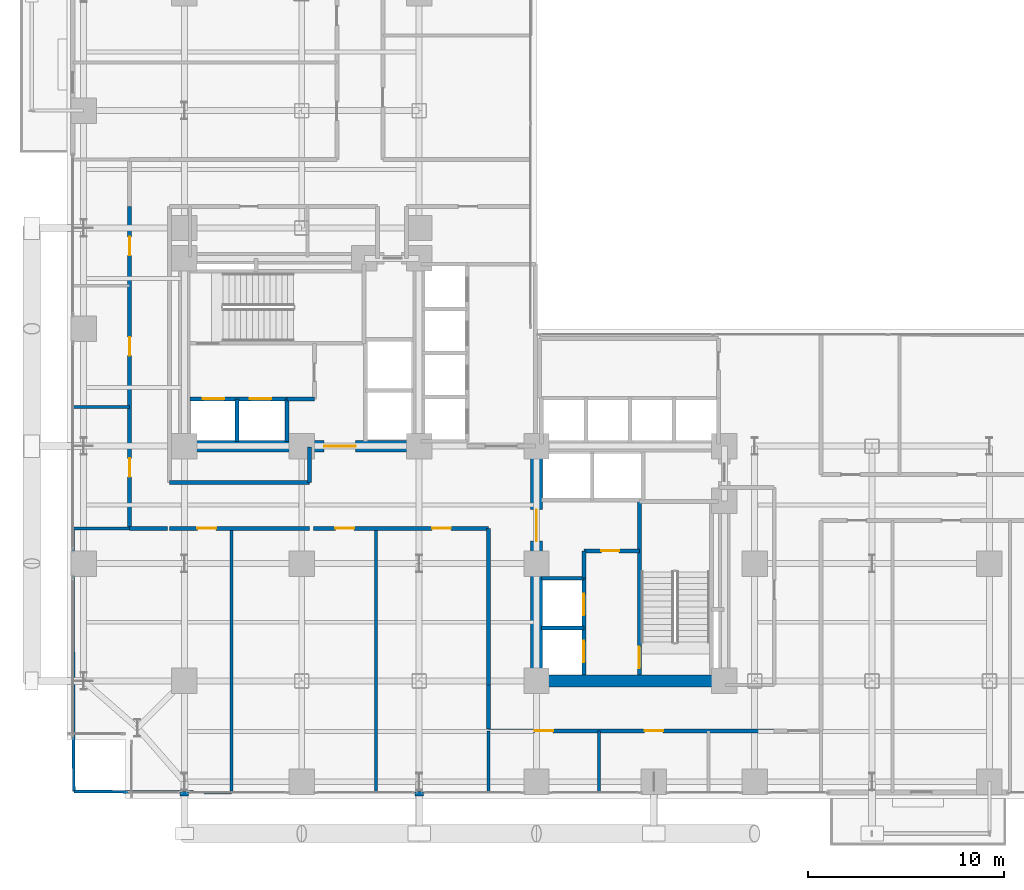
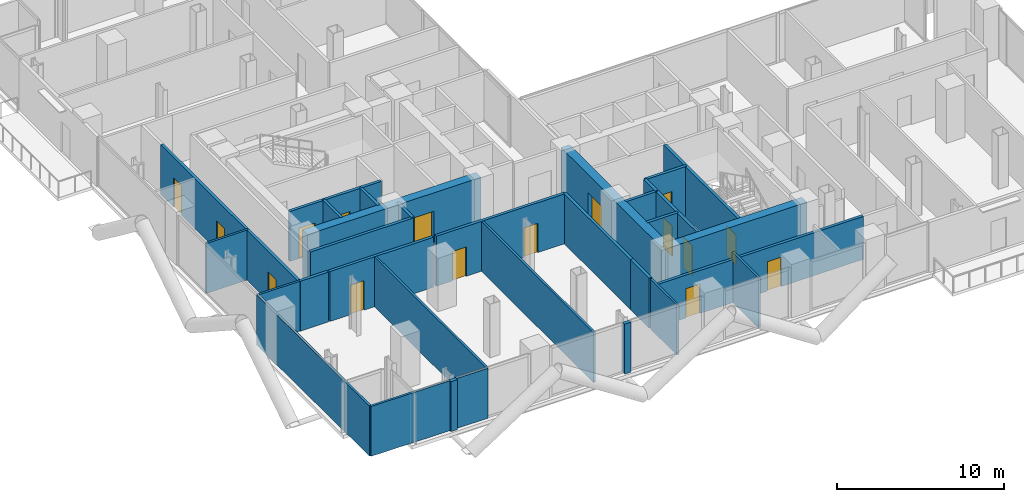
# One storey, part 21 of 27: 33 walls, 16 doors, 16 openings.
"""IFC4 building model written with IfcOpenShell, lengths in metres."""

from ifc_helpers import new_model, si_unit, direction, frame, frame_2d, origin, place, context, subcontext, project, spatial, rectangle, extrude, material, layer, layer_set, type_object, element, fill, save


model = new_model("IFC4")

# Units and contexts
model_context = context("Model", 3, precision=1e-05, world=origin(), true_north=direction((0.0, 1.0)))
body_context = subcontext(model_context, "Body", "Model", "MODEL_VIEW")
ifc_project = project(units=[si_unit("LENGTHUNIT", "METRE"), si_unit("AREAUNIT", "SQUARE_METRE"), si_unit("VOLUMEUNIT", "CUBIC_METRE"), si_unit("PLANEANGLEUNIT", "RADIAN"), si_unit("MASSUNIT", "GRAM", prefix="KILO"), si_unit("THERMODYNAMICTEMPERATUREUNIT", "KELVIN"), si_unit("POWERUNIT", "WATT")], contexts=[model_context])

# Site, building, storey
site_placement = place(None, origin())
site = spatial("IfcSite", under=ifc_project, at=site_placement, CompositionType="ELEMENT")
building_placement = place(site_placement, origin())
building = spatial("IfcBuilding", under=site, at=building_placement, Name="Svarakhadi Broadcast Tower", CompositionType="ELEMENT")
storey_placement = place(building_placement, frame((0.0, 0.0, 55.800048828125)))
storey = spatial("IfcBuildingStorey", under=building, at=storey_placement, Name="L12", CompositionType="ELEMENT", Elevation=55.800048828125)

# Walls
ifc_material_1 = material(Name="Concrete C40/50 (IS 456 M50)", Category="concrete")
ifc_layer_1 = layer(ifc_material_1, 0.239990234375)
ifc_layer_set_1 = layer_set([ifc_layer_1], Name="Concrete C40/50 (IS 456 M50)")
wall_type_1 = type_object("IfcWallType", Name="Wall_Ext_240", PredefinedType="SOLIDWALL", material=ifc_layer_set_1)
for number, where, z_axis, x_axis, name in (
    (1, (18.215087890625, 0.239990234375, 0.0), (0.0, 0.0, 1.0), (-1.0, 0.0, 0.0), "L12 Perimeter Bronze Spandrel Closure Wall 05"),
    (2, (6.215087890625, 0.239990234375, 0.0), (0.0, 0.0, 1.0), (-1.0, 0.0, 0.0), "L12 Perimeter Bronze Spandrel Closure Wall 06"),
):
    element("IfcWall", number, at=place(storey_placement, frame(where, z_axis=z_axis, x_axis=x_axis)), inside=storey, type_object=wall_type_1, Name=name, PredefinedType="SOLIDWALL", context=body_context, shape_type="SweptSolid", body=[
        extrude(rectangle(XDim=0.43017578125, YDim=0.239990234375, at=frame_2d((0.215087890625, 0.0))), origin(), (0.0, 0.0, 1.0), 3.64990234375),
    ])

# Wall, openings, doors
ifc_layer_2 = layer(ifc_material_1, 0.199951171875)
ifc_layer_set_2 = layer_set([ifc_layer_2], Name="Concrete C40/50 (IS 456 M50)")
wall_type_2 = type_object("IfcWallType", Name="Wall_Fire_200", PredefinedType="SOLIDWALL", material=ifc_layer_set_2)
wall_1_placement = place(storey_placement, frame((36.14990234375, 3.449951171875, 0.0), z_axis=(0.0, 0.0, 1.0), x_axis=(-1.0, 0.0, 0.0)))
wall_1 = element("IfcWall", 3, at=wall_1_placement, inside=storey, type_object=wall_type_2, Name="L12 Broadcast Corridor Wall", PredefinedType="SOLIDWALL", context=body_context, shape_type="SweptSolid", body=[
    extrude(rectangle(XDim=14.599853515625, YDim=0.199951171875, at=frame_2d((7.2998046875, 0.0))), origin(), (0.0, 0.0, 1.0), 3.141845703125),
])
opening_1_placement = place(wall_1_placement, frame((11.300048828125, 0.0, 0.0)))
opening_1 = element("IfcOpeningElement", 4, at=opening_1_placement, cuts=wall_1, Name="Opening D-07", PredefinedType="OPENING", context=body_context, shape_type="SweptSolid", body=[
    extrude(rectangle(XDim=0.949951171875, YDim=2.14990234375, at=frame_2d((0.47509765625, 1.074951171875))), frame((0.0, 0.10986328125, 0.0), z_axis=(0.0, -1.0, 0.0), x_axis=(1.0, 0.0, 0.0)), (0.0, 0.0, 1.0), 0.219970703125),
])
opening_2_placement = place(wall_1_placement, frame((5.675048828125, 0.0, 0.0)))
opening_2 = element("IfcOpeningElement", 5, at=opening_2_placement, cuts=wall_1, Name="Opening D-06", PredefinedType="OPENING", context=body_context, shape_type="SweptSolid", body=[
    extrude(rectangle(XDim=0.949951171875, YDim=2.14990234375, at=frame_2d((0.47509765625, 1.074951171875))), frame((0.0, 0.10986328125, 0.0), z_axis=(0.0, -1.0, 0.0), x_axis=(1.0, 0.0, 0.0)), (0.0, 0.0, 1.0), 0.219970703125),
])
ifc_material_2 = material(Name="Solid-Core Teak Veneer Acoustic Timber Leaf", Category="wood")
door_type_1 = type_object("IfcDoorType", Name="Door_Office_D06", OperationType="SINGLE_SWING_LEFT", PredefinedType="DOOR", material=ifc_material_2)
door_1_placement = place(opening_2_placement, origin())
door_1 = element("IfcDoor", 6, at=door_1_placement, inside=storey, type_object=door_type_1, Name="L12 Media Legal Review Office Door", OperationType="SINGLE_SWING_LEFT", OverallHeight=2.14990234375, OverallWidth=0.949951171875, PredefinedType="DOOR", context=body_context, shape_type="SweptSolid", body=[
    extrude(rectangle(XDim=0.949951171875, YDim=2.14990234375, at=frame_2d((0.47509765625, 1.074951171875))), frame((0.0, 0.02490234375, 0.0), z_axis=(0.0, -1.0, 0.0), x_axis=(1.0, 0.0, 0.0)), (0.0, 0.0, 1.0), 0.050048828125),
])
fill(opening_2, door_1)
door_type_2 = type_object("IfcDoorType", Name="Door_Office_D07", OperationType="SINGLE_SWING_RIGHT", PredefinedType="DOOR", material=ifc_material_2)
door_2_placement = place(opening_1_placement, origin())
door_2 = element("IfcDoor", 7, at=door_2_placement, inside=storey, type_object=door_type_2, Name="L12 South Harbour Editorial Desk Door", OperationType="SINGLE_SWING_RIGHT", OverallHeight=2.14990234375, OverallWidth=0.949951171875, PredefinedType="DOOR", context=body_context, shape_type="SweptSolid", body=[
    extrude(rectangle(XDim=0.949951171875, YDim=2.14990234375, at=frame_2d((0.47509765625, 1.074951171875))), frame((0.0, 0.02490234375, 0.0), z_axis=(0.0, -1.0, 0.0), x_axis=(1.0, 0.0, 0.0)), (0.0, 0.0, 1.0), 0.050048828125),
])
fill(opening_1, door_2)

# Walls
wall_2_placement = place(storey_placement, frame((21.550048828125, 3.550048828125, 0.0), z_axis=(0.0, 0.0, 1.0), x_axis=(0.0, 1.0, 0.0)))
element("IfcWall", 8, at=wall_2_placement, inside=storey, type_object=wall_type_2, Name="L12 Broadcast Corridor Wall", PredefinedType="SOLIDWALL", context=body_context, shape_type="SweptSolid", body=[
    extrude(rectangle(XDim=2.25, YDim=0.199951171875, at=frame_2d((1.125, 0.0))), origin(), (0.0, 0.0, 1.0), 3.64990234375),
])
wall_3_placement = place(storey_placement, frame((21.550048828125, 5.800048828125, 0.0), z_axis=(0.0, 0.0, 1.0), x_axis=(0.0, 1.0, 0.0)))
element("IfcWall", 9, at=wall_3_placement, inside=storey, type_object=wall_type_2, Name="L12 Broadcast Corridor Wall", PredefinedType="SOLIDWALL", context=body_context, shape_type="SweptSolid", body=[
    extrude(rectangle(XDim=8.0, YDim=0.199951171875, at=frame_2d((4.0, 0.0))), origin(), (0.0, 0.0, 1.0), 3.64990234375),
])

# Wall, openings, doors
wall_4_placement = place(storey_placement, frame((21.550048828125, 13.800048828125, 0.0), z_axis=(0.0, 0.0, 1.0), x_axis=(-1.0, 0.0, 0.0)))
wall_4 = element("IfcWall", 10, at=wall_4_placement, inside=storey, type_object=wall_type_2, Name="L12 Broadcast Corridor Wall", PredefinedType="SOLIDWALL", context=body_context, shape_type="SweptSolid", body=[
    extrude(rectangle(XDim=8.949951171875, YDim=0.199951171875, at=frame_2d((4.47509765625, 0.0))), origin(), (0.0, 0.0, 1.0), 3.64990234375),
])
opening_3_placement = place(wall_4_placement, frame((6.875, 0.0, 0.0)))
opening_3 = element("IfcOpeningElement", 11, at=opening_3_placement, cuts=wall_4, Name="Opening D-07", PredefinedType="OPENING", context=body_context, shape_type="SweptSolid", body=[
    extrude(rectangle(XDim=0.949951171875, YDim=2.14990234375, at=frame_2d((0.47509765625, 1.074951171875))), frame((0.0, 0.10986328125, 0.0), z_axis=(0.0, -1.0, 0.0), x_axis=(1.0, 0.0, 0.0)), (0.0, 0.0, 1.0), 0.219970703125),
])
opening_4_placement = place(wall_4_placement, frame((1.929931640625, 0.0, 0.0)))
opening_4 = element("IfcOpeningElement", 12, at=opening_4_placement, cuts=wall_4, Name="Opening D-06", PredefinedType="OPENING", context=body_context, shape_type="SweptSolid", body=[
    extrude(rectangle(XDim=0.949951171875, YDim=2.14990234375, at=frame_2d((0.47509765625, 1.074951171875))), frame((0.0, 0.10986328125, 0.0), z_axis=(0.0, -1.0, 0.0), x_axis=(1.0, 0.0, 0.0)), (0.0, 0.0, 1.0), 0.219970703125),
])
door_3_placement = place(opening_4_placement, origin())
door_3 = element("IfcDoor", 13, at=door_3_placement, inside=storey, type_object=door_type_1, Name="L12 Faculty Coordinator Office Door", OperationType="SINGLE_SWING_LEFT", OverallHeight=2.14990234375, OverallWidth=0.949951171875, PredefinedType="DOOR", context=body_context, shape_type="SweptSolid", body=[
    extrude(rectangle(XDim=0.949951171875, YDim=2.14990234375, at=frame_2d((0.47509765625, 1.074951171875))), frame((0.0, 0.02490234375, 0.0), z_axis=(0.0, -1.0, 0.0), x_axis=(1.0, 0.0, 0.0)), (0.0, 0.0, 1.0), 0.050048828125),
])
fill(opening_4, door_3)
door_4_placement = place(opening_3_placement, origin())
door_4 = element("IfcDoor", 14, at=door_4_placement, inside=storey, type_object=door_type_2, Name="L12 Curriculum Development Office Door", OperationType="SINGLE_SWING_RIGHT", OverallHeight=2.14990234375, OverallWidth=0.949951171875, PredefinedType="DOOR", context=body_context, shape_type="SweptSolid", body=[
    extrude(rectangle(XDim=0.949951171875, YDim=2.14990234375, at=frame_2d((0.47509765625, 1.074951171875))), frame((0.0, 0.02490234375, 0.0), z_axis=(0.0, -1.0, 0.0), x_axis=(1.0, 0.0, 0.0)), (0.0, 0.0, 1.0), 0.050048828125),
])
fill(opening_3, door_4)

# Wall, opening, door
wall_5_placement = place(storey_placement, frame((12.39990234375, 13.800048828125, 0.0), z_axis=(0.0, 0.0, 1.0), x_axis=(-1.0, 0.0, 0.0)))
wall_5 = element("IfcWall", 15, at=wall_5_placement, inside=storey, type_object=wall_type_2, Name="L12 Broadcast Corridor Wall", PredefinedType="SOLIDWALL", context=body_context, shape_type="SweptSolid", body=[
    extrude(rectangle(XDim=7.14990234375, YDim=0.199951171875, at=frame_2d((3.574951171875, 0.0))), origin(), (0.0, 0.0, 1.0), 3.64990234375),
])
opening_5_placement = place(wall_5_placement, frame((4.780029296875, 0.0, 0.0)))
opening_5 = element("IfcOpeningElement", 16, at=opening_5_placement, cuts=wall_5, Name="Opening D-07", PredefinedType="OPENING", context=body_context, shape_type="SweptSolid", body=[
    extrude(rectangle(XDim=0.949951171875, YDim=2.14990234375, at=frame_2d((0.47509765625, 1.074951171875))), frame((0.0, 0.10986328125, 0.0), z_axis=(0.0, -1.0, 0.0), x_axis=(1.0, 0.0, 0.0)), (0.0, 0.0, 1.0), 0.219970703125),
])
door_5_placement = place(opening_5_placement, origin())
door_5 = element("IfcDoor", 17, at=door_5_placement, inside=storey, type_object=door_type_2, Name="L12 Broadcast Academy Seminar Room A Door", OperationType="SINGLE_SWING_RIGHT", OverallHeight=2.14990234375, OverallWidth=0.949951171875, PredefinedType="DOOR", context=body_context, shape_type="SweptSolid", body=[
    extrude(rectangle(XDim=0.949951171875, YDim=2.14990234375, at=frame_2d((0.47509765625, 1.074951171875))), frame((0.0, 0.02490234375, 0.0), z_axis=(0.0, -1.0, 0.0), x_axis=(1.0, 0.0, 0.0)), (0.0, 0.0, 1.0), 0.050048828125),
])
fill(opening_5, door_5)

# Wall
wall_6_placement = place(storey_placement, frame((5.14990234375, 13.800048828125, 0.0), z_axis=(0.0, 0.0, 1.0), x_axis=(-1.0, 0.0, 0.0)))
element("IfcWall", 18, at=wall_6_placement, inside=storey, type_object=wall_type_2, Name="L12 Broadcast Corridor Wall", PredefinedType="SOLIDWALL", context=body_context, shape_type="SweptSolid", body=[
    extrude(rectangle(XDim=1.949951171875, YDim=0.199951171875, at=frame_2d((0.97509765625, 0.0))), origin(), (0.0, 0.0, 1.0), 3.64990234375),
])

# Wall, openings, doors
wall_7_placement = place(storey_placement, frame((3.199951171875, 13.800048828125, 0.0), z_axis=(0.0, 0.0, 1.0), x_axis=(0.0, 1.0, 0.0)))
wall_7 = element("IfcWall", 19, at=wall_7_placement, inside=storey, type_object=wall_type_2, Name="L12 Broadcast Corridor Wall", PredefinedType="SOLIDWALL", context=body_context, shape_type="SweptSolid", body=[
    extrude(rectangle(XDim=16.449951171875, YDim=0.199951171875, at=frame_2d((8.22509765625, 0.0))), origin(), (0.0, 0.0, 1.0), 3.64990234375),
])
opening_6_placement = place(wall_7_placement, frame((2.625, 0.0, 0.0)))
opening_6 = element("IfcOpeningElement", 20, at=opening_6_placement, cuts=wall_7, Name="Opening D-06", PredefinedType="OPENING", context=body_context, shape_type="SweptSolid", body=[
    extrude(rectangle(XDim=0.949951171875, YDim=2.14990234375, at=frame_2d((0.47509765625, 1.074951171875))), frame((0.0, 0.10986328125, 0.0), z_axis=(0.0, -1.0, 0.0), x_axis=(1.0, 0.0, 0.0)), (0.0, 0.0, 1.0), 0.219970703125),
])
opening_7_placement = place(wall_7_placement, frame((8.824951171875, 0.0, 0.0)))
opening_7 = element("IfcOpeningElement", 21, at=opening_7_placement, cuts=wall_7, Name="Opening D-07", PredefinedType="OPENING", context=body_context, shape_type="SweptSolid", body=[
    extrude(rectangle(XDim=0.949951171875, YDim=2.14990234375, at=frame_2d((0.47509765625, 1.074951171875))), frame((0.0, 0.10986328125, 0.0), z_axis=(0.0, -1.0, 0.0), x_axis=(1.0, 0.0, 0.0)), (0.0, 0.0, 1.0), 0.219970703125),
])
opening_8_placement = place(wall_7_placement, frame((13.949951171875, 0.0, 0.0)))
opening_8 = element("IfcOpeningElement", 22, at=opening_8_placement, cuts=wall_7, Name="Opening D-06", PredefinedType="OPENING", context=body_context, shape_type="SweptSolid", body=[
    extrude(rectangle(XDim=0.949951171875, YDim=2.14990234375, at=frame_2d((0.47509765625, 1.074951171875))), frame((0.0, 0.10986328125, 0.0), z_axis=(0.0, -1.0, 0.0), x_axis=(1.0, 0.0, 0.0)), (0.0, 0.0, 1.0), 0.219970703125),
])
door_6_placement = place(opening_6_placement, origin())
door_6 = element("IfcDoor", 23, at=door_6_placement, inside=storey, type_object=door_type_1, Name="L12 Arabian Sea Commentary Booth Door", OperationType="SINGLE_SWING_LEFT", OverallHeight=2.14990234375, OverallWidth=0.949951171875, PredefinedType="DOOR", context=body_context, shape_type="SweptSolid", body=[
    extrude(rectangle(XDim=0.949951171875, YDim=2.14990234375, at=frame_2d((0.47509765625, 1.074951171875))), frame((0.0, 0.02490234375, 0.0), z_axis=(0.0, -1.0, 0.0), x_axis=(1.0, 0.0, 0.0)), (0.0, 0.0, 1.0), 0.050048828125),
])
fill(opening_6, door_6)
door_7_placement = place(opening_8_placement, origin())
door_7 = element("IfcDoor", 24, at=door_7_placement, inside=storey, type_object=door_type_1, Name="L12 Producer Quiet Lounge Door", OperationType="SINGLE_SWING_LEFT", OverallHeight=2.14990234375, OverallWidth=0.949951171875, PredefinedType="DOOR", context=body_context, shape_type="SweptSolid", body=[
    extrude(rectangle(XDim=0.949951171875, YDim=2.14990234375, at=frame_2d((0.47509765625, 1.074951171875))), frame((0.0, 0.02490234375, 0.0), z_axis=(0.0, -1.0, 0.0), x_axis=(1.0, 0.0, 0.0)), (0.0, 0.0, 1.0), 0.050048828125),
])
fill(opening_8, door_7)
door_8_placement = place(opening_7_placement, origin())
door_8 = element("IfcDoor", 25, at=door_8_placement, inside=storey, type_object=door_type_2, Name="L12 Live Translation Studio Door", OperationType="SINGLE_SWING_RIGHT", OverallHeight=2.14990234375, OverallWidth=0.949951171875, PredefinedType="DOOR", context=body_context, shape_type="SweptSolid", body=[
    extrude(rectangle(XDim=0.949951171875, YDim=2.14990234375, at=frame_2d((0.47509765625, 1.074951171875))), frame((0.0, 0.02490234375, 0.0), z_axis=(0.0, -1.0, 0.0), x_axis=(1.0, 0.0, 0.0)), (0.0, 0.0, 1.0), 0.050048828125),
])
fill(opening_7, door_8)

# Walls
wall_8_placement = place(storey_placement, frame((5.25, 16.14990234375, 0.0), z_axis=(0.0, 0.0, 1.0), x_axis=(1.0, 0.0, 0.0)))
element("IfcWall", 26, at=wall_8_placement, inside=storey, type_object=wall_type_2, Name="L12 Broadcast Corridor Wall", PredefinedType="SOLIDWALL", context=body_context, shape_type="SweptSolid", body=[
    extrude(rectangle(XDim=7.14990234375, YDim=0.199951171875, at=frame_2d((3.574951171875, 0.0))), origin(), (0.0, 0.0, 1.0), 3.64990234375),
])
wall_9_placement = place(storey_placement, frame((12.39990234375, 16.14990234375, 0.0), z_axis=(0.0, 0.0, 1.0), x_axis=(0.0, 1.0, 0.0)))
element("IfcWall", 27, at=wall_9_placement, inside=storey, type_object=wall_type_2, Name="L12 Broadcast Corridor Wall", PredefinedType="SOLIDWALL", context=body_context, shape_type="SweptSolid", body=[
    extrude(rectangle(XDim=1.800048828125, YDim=0.199951171875, at=frame_2d((0.89990234375, 0.0))), origin(), (0.0, 0.0, 1.0), 3.64990234375),
])
ifc_material_3 = material(Name="Autoclaved Aerated Concrete Blockwork 150 mm", Category="masonry")
ifc_layer_3 = layer(ifc_material_3, 0.14990234375)
ifc_layer_set_3 = layer_set([ifc_layer_3], Name="Autoclaved Aerated Concrete Blockwork 150 mm")
wall_type_3 = type_object("IfcWallType", Name="Wall_Part_150", PredefinedType="PARTITIONING", material=ifc_layer_set_3)
wall_10_placement = place(storey_placement, frame((0.35009765625, 0.35009765625, 0.0), z_axis=(0.0, 0.0, 1.0), x_axis=(0.999980506152, -0.006243982317, 0.0)))
element("IfcWall", 28, at=wall_10_placement, inside=storey, type_object=wall_type_3, Name="L12 Broadcast Academy Seminar Room A Wall", PredefinedType="PARTITIONING", context=body_context, shape_type="SweptSolid", body=[
    extrude(rectangle(XDim=5.434814453125, YDim=0.14990234375, at=frame_2d((2.71728515625, 0.0))), origin(), (0.0, 0.0, 1.0), 3.64990234375),
])
wall_11_placement = place(storey_placement, frame((6.215087890625, 0.313720703125, 0.0), z_axis=(0.0, 0.0, 1.0), x_axis=(0.99998042128, -0.006257559905, 0.0)))
element("IfcWall", 29, at=wall_11_placement, inside=storey, type_object=wall_type_3, Name="L12 Broadcast Academy Seminar Room A Wall", PredefinedType="PARTITIONING", context=body_context, shape_type="SweptSolid", body=[
    extrude(rectangle(XDim=2.184814453125, YDim=0.14990234375, at=frame_2d((1.09228515625, 0.0))), origin(), (0.0, 0.0, 1.0), 3.64990234375),
])
wall_12_placement = place(storey_placement, frame((0.35009765625, 0.35009765625, 0.0), z_axis=(0.0, 0.0, 1.0), x_axis=(-0.003721090209, 0.99999307672, 0.0)))
element("IfcWall", 30, at=wall_12_placement, inside=storey, type_object=wall_type_3, Name="L12 Broadcast Academy Seminar Room A Wall", PredefinedType="PARTITIONING", context=body_context, shape_type="SweptSolid", body=[
    extrude(rectangle(XDim=13.449951171875, YDim=0.14990234375, at=frame_2d((6.72509765625, 0.0))), origin(), (0.0, 0.0, 1.0), 3.64990234375),
])
for number, where, z_axis, x_axis, name in (
    (31, (8.39990234375, 0.300048828125, 0.0), (0.0, 0.0, 1.0), (0.0, 1.0, 0.0), "L12 Broadcast Academy Seminar Room A Wall"),
    (32, (15.800048828125, 0.300048828125, 0.0), (0.0, 0.0, 1.0), (0.0, 1.0, 0.0), "L12 Curriculum Development Office Wall"),
):
    element("IfcWall", number, at=place(storey_placement, frame(where, z_axis=z_axis, x_axis=x_axis)), inside=storey, type_object=wall_type_3, Name=name, PredefinedType="PARTITIONING", context=body_context, shape_type="SweptSolid", body=[
        extrude(rectangle(XDim=13.5, YDim=0.14990234375, at=frame_2d((6.75, 0.0))), origin(), (0.0, 0.0, 1.0), 3.64990234375),
    ])
for number, where, z_axis, x_axis, name in (
    (33, (0.300048828125, 13.800048828125, 0.0), (0.0, 0.0, 1.0), (1.0, 0.0, 0.0), "L12 Arabian Sea Commentary Booth Wall"),
    (34, (0.300048828125, 20.0, 0.0), (0.0, 0.0, 1.0), (1.0, 0.0, 0.0), "L12 Arabian Sea Commentary Booth Wall"),
):
    element("IfcWall", number, at=place(storey_placement, frame(where, z_axis=z_axis, x_axis=x_axis)), inside=storey, type_object=wall_type_3, Name=name, PredefinedType="PARTITIONING", context=body_context, shape_type="SweptSolid", body=[
        extrude(rectangle(XDim=2.89990234375, YDim=0.14990234375, at=frame_2d((1.449951171875, 0.0))), origin(), (0.0, 0.0, 1.0), 3.64990234375),
    ])
for number, where, z_axis, x_axis, name in (
    (35, (21.550048828125, 0.300048828125, 0.0), (0.0, 0.0, 1.0), (0.0, 1.0, 0.0), "L12 South Harbour Editorial Desk Wall"),
    (36, (27.199951171875, 0.300048828125, 0.0), (0.0, 0.0, 1.0), (0.0, 1.0, 0.0), "L12 South Harbour Editorial Desk Wall"),
):
    element("IfcWall", number, at=place(storey_placement, frame(where, z_axis=z_axis, x_axis=x_axis)), inside=storey, type_object=wall_type_3, Name=name, PredefinedType="PARTITIONING", context=body_context, shape_type="SweptSolid", body=[
        extrude(rectangle(XDim=3.14990234375, YDim=0.14990234375, at=frame_2d((1.574951171875, 0.0))), origin(), (0.0, 0.0, 1.0), 3.64990234375),
    ])

# Wall, opening, door
ifc_material_4 = material(Name="Concrete C50/60 (IS 456 M60)", Category="concrete")
ifc_layer_4 = layer(ifc_material_4, 0.199951171875)
ifc_layer_set_4 = layer_set([ifc_layer_4], Name="Concrete C50/60 (IS 456 M60)")
wall_type_4 = type_object("IfcWallType", Name="Wall_Shear_200", PredefinedType="SHEAR", material=ifc_layer_set_4)
wall_13_placement = place(storey_placement, frame((29.260009765625, 6.300048828125, 0.0), z_axis=(0.0, 0.0, 1.0), x_axis=(0.0, 1.0, 0.0)))
wall_13 = element("IfcWall", 37, at=wall_13_placement, inside=storey, type_object=wall_type_4, Name="L12 Stair ST-02 West RC Shaft Wall", PredefinedType="SHEAR", context=body_context, shape_type="SweptSolid", body=[
    extrude(rectangle(XDim=8.8798828125, YDim=0.199951171875, at=frame_2d((4.43994140625, 0.0))), origin(), (0.0, 0.0, 1.0), 3.64990234375),
])
opening_9_placement = place(wall_13_placement, frame((0.35009765625, 0.0, 0.0)))
opening_9 = element("IfcOpeningElement", 38, at=opening_9_placement, cuts=wall_13, Name="Opening D-02", PredefinedType="OPENING", context=body_context, shape_type="SweptSolid", body=[
    extrude(rectangle(XDim=1.10009765625, YDim=2.199951171875, at=frame_2d((0.550048828125, 1.10009765625))), frame((0.0, 0.10986328125, 0.0), z_axis=(0.0, -1.0, 0.0), x_axis=(1.0, 0.0, 0.0)), (0.0, 0.0, 1.0), 0.219970703125),
])
ifc_material_5 = material(Name="Galvanised Powder-Coated Fire-Rated Steel Leaf", Category="steel")
door_type_3 = type_object("IfcDoorType", Name="Door_Stair_D02", OperationType="SINGLE_SWING_RIGHT", PredefinedType="DOOR", material=ifc_material_5)
door_9_placement = place(opening_9_placement, origin())
door_9 = element("IfcDoor", 39, at=door_9_placement, inside=storey, type_object=door_type_3, Name="L12 Protected Exit Stair ST-02 Fire Door", OperationType="SINGLE_SWING_RIGHT", OverallHeight=2.199951171875, OverallWidth=1.10009765625, PredefinedType="DOOR", context=body_context, shape_type="SweptSolid", body=[
    extrude(rectangle(XDim=1.10009765625, YDim=2.199951171875, at=frame_2d((0.550048828125, 1.10009765625))), frame((0.0, 0.02490234375, 0.0), z_axis=(0.0, -1.0, 0.0), x_axis=(1.0, 0.0, 0.0)), (0.0, 0.0, 1.0), 0.050048828125),
])
fill(opening_9, door_9)

# Wall, openings, doors
wall_14_placement = place(storey_placement, frame((6.300048828125, 20.419921875, 0.0), z_axis=(0.0, 0.0, 1.0), x_axis=(1.0, 0.0, 0.0)))
wall_14 = element("IfcWall", 40, at=wall_14_placement, inside=storey, type_object=wall_type_4, Name="L12 Firefighting Lift LF-01/02 Shaft Wall", PredefinedType="SHEAR", context=body_context, shape_type="SweptSolid", body=[
    extrude(rectangle(XDim=4.949951171875, YDim=0.199951171875, at=frame_2d((2.47509765625, 0.0))), origin(), (0.0, 0.0, 1.0), 3.64990234375),
])
opening_10_placement = place(wall_14_placement, frame((0.64990234375, 0.0, 0.0)))
opening_10 = element("IfcOpeningElement", 41, at=opening_10_placement, cuts=wall_14, Name="Opening LD-01", PredefinedType="OPENING", context=body_context, shape_type="SweptSolid", body=[
    extrude(rectangle(XDim=1.10009765625, YDim=2.199951171875, at=frame_2d((0.550048828125, 1.10009765625))), frame((0.0, 0.10986328125, 0.0), z_axis=(0.0, -1.0, 0.0), x_axis=(1.0, 0.0, 0.0)), (0.0, 0.0, 1.0), 0.219970703125),
])
opening_11_placement = place(wall_14_placement, frame((3.050048828125, 0.0, 0.0)))
opening_11 = element("IfcOpeningElement", 42, at=opening_11_placement, cuts=wall_14, Name="Opening LD-01", PredefinedType="OPENING", context=body_context, shape_type="SweptSolid", body=[
    extrude(rectangle(XDim=1.10009765625, YDim=2.199951171875, at=frame_2d((0.550048828125, 1.10009765625))), frame((0.0, 0.10986328125, 0.0), z_axis=(0.0, -1.0, 0.0), x_axis=(1.0, 0.0, 0.0)), (0.0, 0.0, 1.0), 0.219970703125),
])
door_type_4 = type_object("IfcDoorType", Name="Door_Lift_LD01", OperationType="SLIDING_TO_LEFT", PredefinedType="DOOR", material=ifc_material_5)
door_10_placement = place(opening_10_placement, origin())
door_10 = element("IfcDoor", 43, at=door_10_placement, inside=storey, type_object=door_type_4, Name="L12 Firefighting Lift LF-01 Landing Door", OperationType="SLIDING_TO_LEFT", OverallHeight=2.199951171875, OverallWidth=1.10009765625, PredefinedType="DOOR", context=body_context, shape_type="SweptSolid", body=[
    extrude(rectangle(XDim=1.10009765625, YDim=2.199951171875, at=frame_2d((0.550048828125, 1.10009765625))), frame((0.0, 0.02490234375, 0.0), z_axis=(0.0, -1.0, 0.0), x_axis=(1.0, 0.0, 0.0)), (0.0, 0.0, 1.0), 0.050048828125),
])
fill(opening_10, door_10)
door_11_placement = place(opening_11_placement, origin())
door_11 = element("IfcDoor", 44, at=door_11_placement, inside=storey, type_object=door_type_4, Name="L12 Firefighting Lift LF-02 Landing Door", OperationType="SLIDING_TO_LEFT", OverallHeight=2.199951171875, OverallWidth=1.10009765625, PredefinedType="DOOR", context=body_context, shape_type="SweptSolid", body=[
    extrude(rectangle(XDim=1.10009765625, YDim=2.199951171875, at=frame_2d((0.550048828125, 1.10009765625))), frame((0.0, 0.02490234375, 0.0), z_axis=(0.0, -1.0, 0.0), x_axis=(1.0, 0.0, 0.0)), (0.0, 0.0, 1.0), 0.050048828125),
])
fill(opening_11, door_11)

# Walls
for number, where, z_axis, x_axis, name in (
    (45, (8.699951171875, 18.25, 0.0), (0.0, 0.0, 1.0), (0.0, 1.0, 0.0), "L12 Firefighting Lift LF-01/02 Divider Wall"),
    (46, (11.25, 18.25, 0.0), (0.0, 0.0, 1.0), (0.0, 1.0, 0.0), "L12 Firefighting Lift LF-02 East Wall"),
):
    element("IfcWall", number, at=place(storey_placement, frame(where, z_axis=z_axis, x_axis=x_axis)), inside=storey, type_object=wall_type_4, Name=name, PredefinedType="SHEAR", context=body_context, shape_type="SweptSolid", body=[
        extrude(rectangle(XDim=2.169921875, YDim=0.199951171875, at=frame_2d((1.0849609375, 0.0))), origin(), (0.0, 0.0, 1.0), 3.64990234375),
    ])
wall_15_placement = place(storey_placement, frame((11.25, 20.419921875, 0.0), z_axis=(0.0, 0.0, 1.0), x_axis=(1.0, 0.0, 0.0)))
element("IfcWall", 47, at=wall_15_placement, inside=storey, type_object=wall_type_4, Name="L12 West Firefighting Lobby South Wall", PredefinedType="SHEAR", context=body_context, shape_type="SweptSolid", body=[
    extrude(rectangle(XDim=1.39990234375, YDim=0.199951171875, at=frame_2d((0.699951171875, 0.0))), origin(), (0.0, 0.0, 1.0), 3.64990234375),
])

# Wall, openings, doors
wall_16_placement = place(storey_placement, frame((26.419921875, 6.300048828125, 0.0), z_axis=(0.0, 0.0, 1.0), x_axis=(0.0, 1.0, 0.0)))
wall_16 = element("IfcWall", 48, at=wall_16_placement, inside=storey, type_object=wall_type_4, Name="L12 Firefighting Lift LF-03/04 Shaft Wall", PredefinedType="SHEAR", context=body_context, shape_type="SweptSolid", body=[
    extrude(rectangle(XDim=4.949951171875, YDim=0.199951171875, at=frame_2d((2.47509765625, 0.0))), origin(), (0.0, 0.0, 1.0), 3.64990234375),
])
opening_12_placement = place(wall_16_placement, frame((0.64990234375, 0.0, 0.0)))
opening_12 = element("IfcOpeningElement", 49, at=opening_12_placement, cuts=wall_16, Name="Opening LD-01", PredefinedType="OPENING", context=body_context, shape_type="SweptSolid", body=[
    extrude(rectangle(XDim=1.10009765625, YDim=2.199951171875, at=frame_2d((0.550048828125, 1.10009765625))), frame((0.0, 0.10986328125, 0.0), z_axis=(0.0, -1.0, 0.0), x_axis=(1.0, 0.0, 0.0)), (0.0, 0.0, 1.0), 0.219970703125),
])
opening_13_placement = place(wall_16_placement, frame((3.050048828125, 0.0, 0.0)))
opening_13 = element("IfcOpeningElement", 50, at=opening_13_placement, cuts=wall_16, Name="Opening LD-01", PredefinedType="OPENING", context=body_context, shape_type="SweptSolid", body=[
    extrude(rectangle(XDim=1.10009765625, YDim=2.199951171875, at=frame_2d((0.550048828125, 1.10009765625))), frame((0.0, 0.10986328125, 0.0), z_axis=(0.0, -1.0, 0.0), x_axis=(1.0, 0.0, 0.0)), (0.0, 0.0, 1.0), 0.219970703125),
])
door_12_placement = place(opening_12_placement, origin())
door_12 = element("IfcDoor", 51, at=door_12_placement, inside=storey, type_object=door_type_4, Name="L12 Firefighting Lift LF-03 Landing Door", OperationType="SLIDING_TO_LEFT", OverallHeight=2.199951171875, OverallWidth=1.10009765625, PredefinedType="DOOR", context=body_context, shape_type="SweptSolid", body=[
    extrude(rectangle(XDim=1.10009765625, YDim=2.199951171875, at=frame_2d((0.550048828125, 1.10009765625))), frame((0.0, 0.02490234375, 0.0), z_axis=(0.0, -1.0, 0.0), x_axis=(1.0, 0.0, 0.0)), (0.0, 0.0, 1.0), 0.050048828125),
])
fill(opening_12, door_12)
door_13_placement = place(opening_13_placement, origin())
door_13 = element("IfcDoor", 52, at=door_13_placement, inside=storey, type_object=door_type_4, Name="L12 Firefighting Lift LF-04 Landing Door", OperationType="SLIDING_TO_LEFT", OverallHeight=2.199951171875, OverallWidth=1.10009765625, PredefinedType="DOOR", context=body_context, shape_type="SweptSolid", body=[
    extrude(rectangle(XDim=1.10009765625, YDim=2.199951171875, at=frame_2d((0.550048828125, 1.10009765625))), frame((0.0, 0.02490234375, 0.0), z_axis=(0.0, -1.0, 0.0), x_axis=(1.0, 0.0, 0.0)), (0.0, 0.0, 1.0), 0.050048828125),
])
fill(opening_13, door_13)

# Walls
for number, where, z_axis, x_axis, name in (
    (53, (24.25, 8.699951171875, 0.0), (0.0, 0.0, 1.0), (1.0, 0.0, 0.0), "L12 Firefighting Lift LF-03/04 Divider Wall"),
    (54, (24.25, 11.25, 0.0), (0.0, 0.0, 1.0), (1.0, 0.0, 0.0), "L12 Firefighting Lift LF-04 North Wall"),
):
    element("IfcWall", number, at=place(storey_placement, frame(where, z_axis=z_axis, x_axis=x_axis)), inside=storey, type_object=wall_type_4, Name=name, PredefinedType="SHEAR", context=body_context, shape_type="SweptSolid", body=[
        extrude(rectangle(XDim=2.169921875, YDim=0.199951171875, at=frame_2d((1.0849609375, 0.0))), origin(), (0.0, 0.0, 1.0), 3.64990234375),
    ])
wall_17_placement = place(storey_placement, frame((26.419921875, 11.25, 0.0), z_axis=(0.0, 0.0, 1.0), x_axis=(0.0, 1.0, 0.0)))
element("IfcWall", 55, at=wall_17_placement, inside=storey, type_object=wall_type_4, Name="L12 East Firefighting Lobby West Wall", PredefinedType="SHEAR", context=body_context, shape_type="SweptSolid", body=[
    extrude(rectangle(XDim=1.39990234375, YDim=0.199951171875, at=frame_2d((0.699951171875, 0.0))), origin(), (0.0, 0.0, 1.0), 3.64990234375),
])

# Wall, opening, door
wall_18_placement = place(storey_placement, frame((26.419921875, 12.64990234375, 0.0), z_axis=(0.0, 0.0, 1.0), x_axis=(1.0, 0.0, 0.0)))
wall_18 = element("IfcWall", 56, at=wall_18_placement, inside=storey, type_object=wall_type_4, Name="L12 East Firefighting Lobby North Wall", PredefinedType="SHEAR", context=body_context, shape_type="SweptSolid", body=[
    extrude(rectangle(XDim=2.840087890625, YDim=0.199951171875, at=frame_2d((1.419921875, 0.0))), origin(), (0.0, 0.0, 1.0), 3.64990234375),
])
opening_14_placement = place(wall_18_placement, frame((0.89990234375, 0.0, 0.0)))
opening_14 = element("IfcOpeningElement", 57, at=opening_14_placement, cuts=wall_18, Name="Opening D-04", PredefinedType="OPENING", context=body_context, shape_type="SweptSolid", body=[
    extrude(rectangle(XDim=0.89990234375, YDim=2.14990234375, at=frame_2d((0.449951171875, 1.074951171875))), frame((0.0, 0.10986328125, 0.0), z_axis=(0.0, -1.0, 0.0), x_axis=(1.0, 0.0, 0.0)), (0.0, 0.0, 1.0), 0.219970703125),
])
door_type_5 = type_object("IfcDoorType", Name="Door_Fire_D04", OperationType="SINGLE_SWING_RIGHT", PredefinedType="DOOR", material=ifc_material_5)
door_14_placement = place(opening_14_placement, origin())
door_14 = element("IfcDoor", 58, at=door_14_placement, inside=storey, type_object=door_type_5, Name="L12 East Firefighting Lobby Fire Door", OperationType="SINGLE_SWING_RIGHT", OverallHeight=2.14990234375, OverallWidth=0.89990234375, PredefinedType="DOOR", context=body_context, shape_type="SweptSolid", body=[
    extrude(rectangle(XDim=0.89990234375, YDim=2.14990234375, at=frame_2d((0.449951171875, 1.074951171875))), frame((0.0, 0.02490234375, 0.0), z_axis=(0.0, -1.0, 0.0), x_axis=(1.0, 0.0, 0.0)), (0.0, 0.0, 1.0), 0.050048828125),
])
fill(opening_14, door_14)

ifc_material_6 = material(Name="Concrete C60/75 (IS 456 M70)", Category="concrete")
ifc_layer_5 = layer(ifc_material_6, 0.60009765625)
ifc_layer_set_5 = layer_set([ifc_layer_5], Name="Concrete C60/75 (IS 456 M70)")
wall_type_5 = type_object("IfcWallType", Name="Wall_Shear_600", PredefinedType="SHEAR", material=ifc_layer_set_5)
wall_19_placement = place(storey_placement, frame((6.0, 18.0, 0.0), z_axis=(0.0, 0.0, 1.0), x_axis=(1.0, 0.0, 0.0)))
wall_19 = element("IfcWall", 59, at=wall_19_placement, inside=storey, type_object=wall_type_5, Name="L12 West Core South Shear Wall", PredefinedType="SHEAR", context=body_context, shape_type="SweptSolid", body=[
    extrude(rectangle(XDim=12.0, YDim=0.60009765625, at=frame_2d((6.0, 0.0))), origin(), (0.0, 0.0, 1.0), 3.64990234375),
])
opening_15_placement = place(wall_19_placement, frame((7.14990234375, 0.0, 0.0)))
opening_15 = element("IfcOpeningElement", 60, at=opening_15_placement, cuts=wall_19, Name="Opening D-05", PredefinedType="OPENING", context=body_context, shape_type="SweptSolid", body=[
    extrude(rectangle(XDim=1.60009765625, YDim=2.300048828125, at=frame_2d((0.800048828125, 1.14990234375))), frame((0.0, 0.31005859375, 0.0), z_axis=(0.0, -1.0, 0.0), x_axis=(1.0, 0.0, 0.0)), (0.0, 0.0, 1.0), 0.6201171875),
])
ifc_material_7 = material(Name="Anodised Bronze Aluminium AA 6063-T6", Category="aluminium")
door_type_6 = type_object("IfcDoorType", Name="Door_Lobby_D05", OperationType="DOUBLE_DOOR_SLIDING", PredefinedType="DOOR", material=ifc_material_7)
door_15_placement = place(opening_15_placement, origin())
door_15 = element("IfcDoor", 61, at=door_15_placement, inside=storey, type_object=door_type_6, Name="L12 West Core Passenger Lift Lobby Entrance Door", OperationType="DOUBLE_DOOR_SLIDING", OverallHeight=2.300048828125, OverallWidth=1.60009765625, PredefinedType="DOOR", context=body_context, shape_type="SweptSolid", body=[
    extrude(rectangle(XDim=1.60009765625, YDim=2.300048828125, at=frame_2d((0.800048828125, 1.14990234375))), frame((0.0, 0.02490234375, 0.0), z_axis=(0.0, -1.0, 0.0), x_axis=(1.0, 0.0, 0.0)), (0.0, 0.0, 1.0), 0.050048828125),
])
fill(opening_15, door_15)

# Wall
wall_20_placement = place(storey_placement, frame((24.0, 6.0, 0.0), z_axis=(0.0, 0.0, 1.0), x_axis=(1.0, 0.0, 0.0)))
element("IfcWall", 62, at=wall_20_placement, inside=storey, type_object=wall_type_5, Name="L12 East Core South Shear Wall", PredefinedType="SHEAR", context=body_context, shape_type="SweptSolid", body=[
    extrude(rectangle(XDim=9.60009765625, YDim=0.60009765625, at=frame_2d((4.800048828125, 0.0))), origin(), (0.0, 0.0, 1.0), 3.64990234375),
])

# Wall, opening, door
wall_21_placement = place(storey_placement, frame((24.0, 6.0, 0.0), z_axis=(0.0, 0.0, 1.0), x_axis=(0.0, 1.0, 0.0)))
wall_21 = element("IfcWall", 63, at=wall_21_placement, inside=storey, type_object=wall_type_5, Name="L12 East Core West Shear Wall", PredefinedType="SHEAR", context=body_context, shape_type="SweptSolid", body=[
    extrude(rectangle(XDim=12.0, YDim=0.60009765625, at=frame_2d((6.0, 0.0))), origin(), (0.0, 0.0, 1.0), 3.64990234375),
])
opening_16_placement = place(wall_21_placement, frame((7.14990234375, 0.0, 0.0)))
opening_16 = element("IfcOpeningElement", 64, at=opening_16_placement, cuts=wall_21, Name="Opening D-05", PredefinedType="OPENING", context=body_context, shape_type="SweptSolid", body=[
    extrude(rectangle(XDim=1.60009765625, YDim=2.300048828125, at=frame_2d((0.800048828125, 1.14990234375))), frame((0.0, 0.31005859375, 0.0), z_axis=(0.0, -1.0, 0.0), x_axis=(1.0, 0.0, 0.0)), (0.0, 0.0, 1.0), 0.6201171875),
])
door_16_placement = place(opening_16_placement, origin())
door_16 = element("IfcDoor", 65, at=door_16_placement, inside=storey, type_object=door_type_6, Name="L12 East Core Passenger Lift Lobby Entrance Door", OperationType="DOUBLE_DOOR_SLIDING", OverallHeight=2.300048828125, OverallWidth=1.60009765625, PredefinedType="DOOR", context=body_context, shape_type="SweptSolid", body=[
    extrude(rectangle(XDim=1.60009765625, YDim=2.300048828125, at=frame_2d((0.800048828125, 1.14990234375))), frame((0.0, 0.02490234375, 0.0), z_axis=(0.0, -1.0, 0.0), x_axis=(1.0, 0.0, 0.0)), (0.0, 0.0, 1.0), 0.050048828125),
])
fill(opening_16, door_16)

save(model, "model.ifc")
